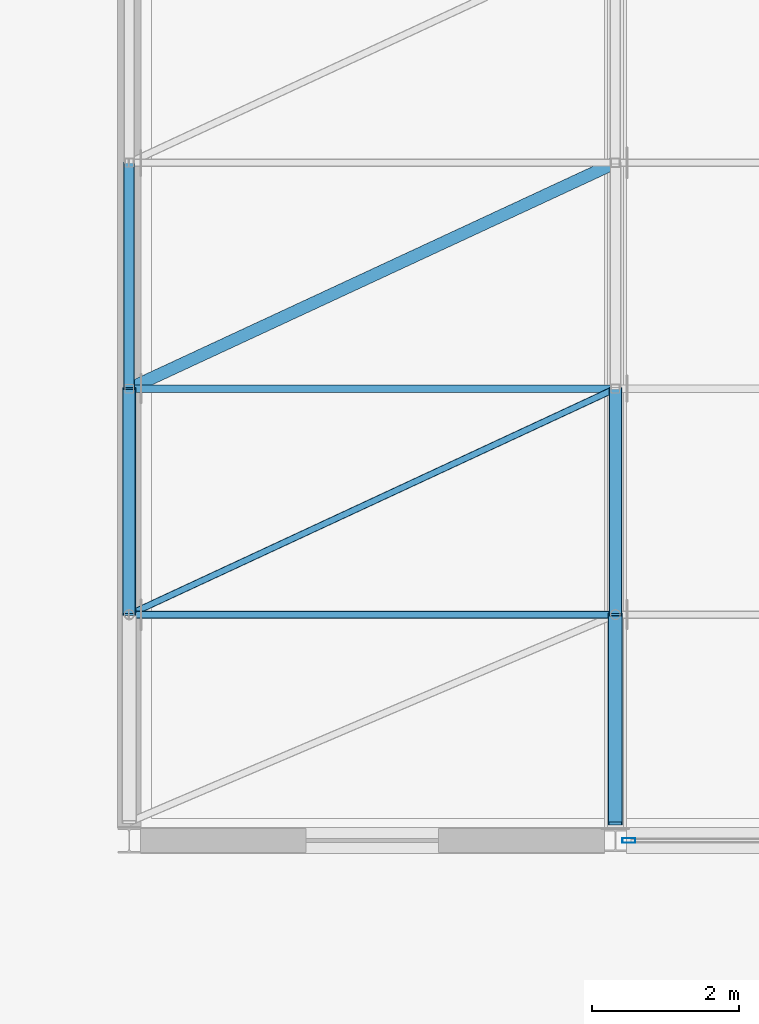
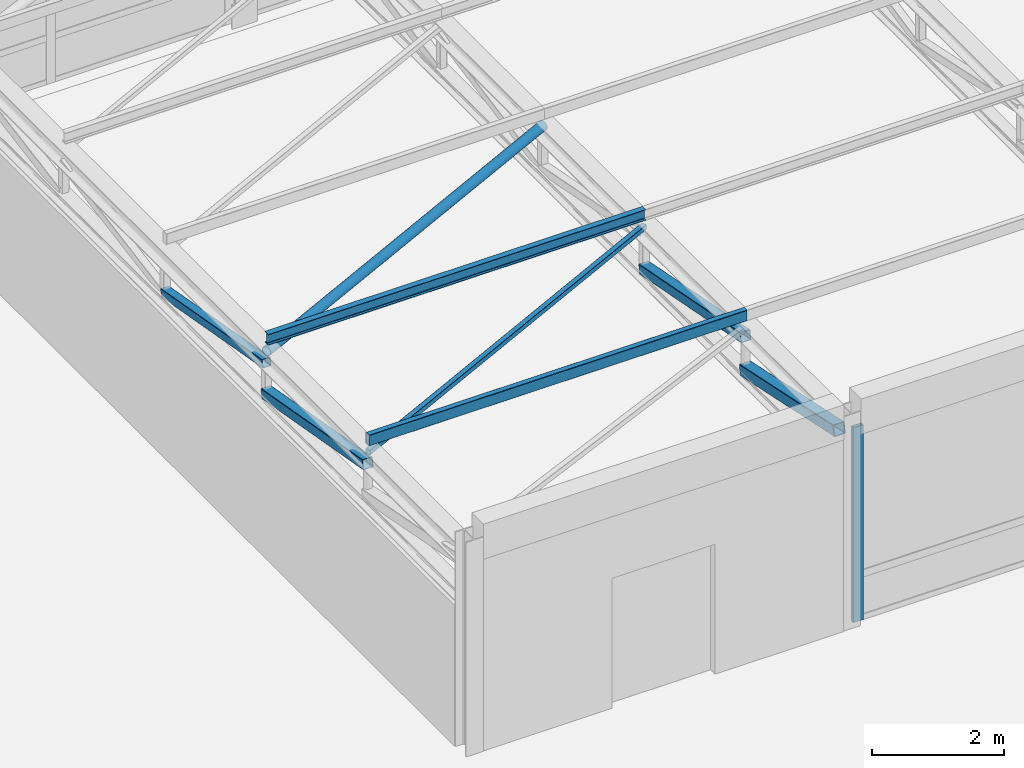
# One storey, part 17 of 92: 9 members, 1 element without a shape of its own.
"""IFC4 building model written with IfcOpenShell, lengths in metres."""

from ifc_helpers import new_model, si_unit, direction, frame, origin, origin_2d, place, context, subcontext, project, spatial, hollow_rectangle, hollow_circle, i_section, extrude, material, material_profile, profile_set, type_object, element, aggregate, save


model = new_model("IFC4")

# Units and contexts
model_context = context("Model", 3, precision=1e-05, world=origin(), true_north=direction((0.0, 1.0)))
body_context = subcontext(model_context, "Body", "Model", "MODEL_VIEW")
ifc_project = project(units=[si_unit("LENGTHUNIT", "METRE"), si_unit("AREAUNIT", "SQUARE_METRE"), si_unit("VOLUMEUNIT", "CUBIC_METRE"), si_unit("PLANEANGLEUNIT", "RADIAN"), si_unit("MASSUNIT", "GRAM", prefix="KILO")], contexts=[model_context])

# Site, building, storey
site_placement = place(None, origin())
site = spatial("IfcSite", under=ifc_project, at=site_placement, CompositionType="ELEMENT")
building_placement = place(site_placement, origin())
building = spatial("IfcBuilding", under=site, at=building_placement, Name="Kernevlak Ridge Housing Community", CompositionType="ELEMENT")
storey_placement = place(building_placement, frame((0.0, 0.0, 4.199951171875)))
storey = spatial("IfcBuildingStorey", under=building, at=storey_placement, Name="L01", CompositionType="ELEMENT", Elevation=4.199951171875)

# Members
ifc_material_1 = material(Name="Steel S355", Category="steel")
ifc_material_profile_1 = material_profile(ifc_material_1, hollow_rectangle(XDim=0.199951171875, YDim=0.199951171875, WallThickness=0.010009765625, InnerFilletRadius=0.010009765625, OuterFilletRadius=0.014892578125, at=origin_2d()), Name="SHS 200x200x10")
ifc_profile_set_1 = profile_set([ifc_material_profile_1], Name="Steel S355")
member_type_1 = type_object("IfcMemberType", Name="BR-01", PredefinedType="BRACE", material=ifc_profile_set_1)
member_1_placement = place(storey_placement, frame((70.800048828125, 50.030029296875, 3.449951171875), z_axis=(0.0, 0.978704122893, -0.205276008907), x_axis=(-1.0, 0.0, 0.0)))
element("IfcMember", 1, at=member_1_placement, inside=storey, type_object=member_type_1, Name="Community Hall roof truss 2 web diagonal 1", PredefinedType="BRACE", context=body_context, shape_type="SweptSolid", body=[
    extrude(hollow_rectangle(XDim=0.199951171875, YDim=0.199951171875, WallThickness=0.010009765625, InnerFilletRadius=0.010009765625, OuterFilletRadius=0.014892578125, at=origin_2d()), origin(), (0.0, 0.0, 1.0), 2.8984375),
])
ifc_material_profile_2 = material_profile(ifc_material_1, hollow_rectangle(XDim=0.179931640625, YDim=0.179931640625, WallThickness=0.010009765625, InnerFilletRadius=0.010009765625, OuterFilletRadius=0.014892578125, at=origin_2d()), Name="SHS 180x180x10")
ifc_profile_set_2 = profile_set([ifc_material_profile_2], Name="Steel S355")
member_type_2 = type_object("IfcMemberType", Name="BR-02", PredefinedType="BRACE", material=ifc_profile_set_2)
member_2_placement = place(storey_placement, frame((64.199951171875, 52.86669921875, 3.41015625), z_axis=(0.0, 0.984563408291, -0.175028269303), x_axis=(-1.0, 0.0, 0.0)))
element("IfcMember", 2, at=member_2_placement, inside=storey, type_object=member_type_2, Name="Community Hall roof truss 1 web diagonal 2", PredefinedType="BRACE", context=body_context, shape_type="SweptSolid", body=[
    extrude(hollow_rectangle(XDim=0.179931640625, YDim=0.179931640625, WallThickness=0.010009765625, InnerFilletRadius=0.010009765625, OuterFilletRadius=0.014892578125, at=origin_2d()), origin(), (0.0, 0.0, 1.0), 3.11474609375),
])
member_3_placement = place(storey_placement, frame((70.800048828125, 52.86669921875, 3.449951171875), z_axis=(0.0, 0.981694621235, -0.190461730113), x_axis=(-1.0, 0.0, 0.0)))
element("IfcMember", 3, at=member_3_placement, inside=storey, type_object=member_type_2, Name="Community Hall roof truss 2 web diagonal 2", PredefinedType="BRACE", context=body_context, shape_type="SweptSolid", body=[
    extrude(hollow_rectangle(XDim=0.179931640625, YDim=0.179931640625, WallThickness=0.010009765625, InnerFilletRadius=0.010009765625, OuterFilletRadius=0.014892578125, at=origin_2d()), origin(), (0.0, 0.0, 1.0), 3.123779296875),
])
ifc_material_profile_3 = material_profile(ifc_material_1, hollow_rectangle(XDim=0.14990234375, YDim=0.14990234375, WallThickness=0.008056640625, InnerFilletRadius=0.008056640625, OuterFilletRadius=0.011962890625, at=origin_2d()), Name="SHS 150x150x8")
ifc_profile_set_3 = profile_set([ifc_material_profile_3], Name="Steel S355")
member_type_3 = type_object("IfcMemberType", Name="BR-03", PredefinedType="BRACE", material=ifc_profile_set_3)
member_4_placement = place(storey_placement, frame((64.199951171875, 55.933349609375, 3.41015625), z_axis=(0.0, 0.984563408291, -0.175028269303), x_axis=(-1.0, 0.0, 0.0)))
element("IfcMember", 4, at=member_4_placement, inside=storey, type_object=member_type_3, Name="Community Hall roof truss 1 web diagonal 3", PredefinedType="BRACE", context=body_context, shape_type="SweptSolid", body=[
    extrude(hollow_rectangle(XDim=0.14990234375, YDim=0.14990234375, WallThickness=0.008056640625, InnerFilletRadius=0.008056640625, OuterFilletRadius=0.011962890625, at=origin_2d()), origin(), (0.0, 0.0, 1.0), 3.11474609375),
])
ifc_material_profile_4 = material_profile(ifc_material_1, hollow_rectangle(XDim=0.090087890625, YDim=0.090087890625, WallThickness=0.0048828125, InnerFilletRadius=0.0048828125, OuterFilletRadius=0.007568359375, at=origin_2d()), Name="SHS 90x90x5")
ifc_profile_set_4 = profile_set([ifc_material_profile_4], Name="Steel S355")
member_type_4 = type_object("IfcMemberType", Name="BR-07", PredefinedType="BRACE", material=ifc_profile_set_4)
member_5_placement = place(storey_placement, frame((64.199951171875, 52.86669921875, 3.625), z_axis=(0.906887206183, 0.42137346293, 0.0), x_axis=(-0.42137346293, 0.906887206183, 0.0)))
element("IfcMember", 5, at=member_5_placement, inside=storey, type_object=member_type_4, Name="Roof lateral wind brace 1.2", PredefinedType="BRACE", context=body_context, shape_type="SweptSolid", body=[
    extrude(hollow_rectangle(XDim=0.090087890625, YDim=0.090087890625, WallThickness=0.0048828125, InnerFilletRadius=0.0048828125, OuterFilletRadius=0.007568359375, at=origin_2d()), origin(), (0.0, 0.0, 1.0), 7.27783203125),
])
ifc_material_profile_5 = material_profile(ifc_material_1, hollow_circle(Radius=0.084228515625, WallThickness=0.008056640625, at=origin_2d()), Name="CHS 168.3x8")
ifc_profile_set_5 = profile_set([ifc_material_profile_5], Name="Steel S355")
member_type_5 = type_object("IfcMemberType", Name="BR-08", PredefinedType="BRACE", material=ifc_profile_set_5)
member_6_placement = place(storey_placement, frame((64.199951171875, 55.933349609375, 3.625), z_axis=(0.906887206183, 0.42137346293, 0.0), x_axis=(-0.42137346293, 0.906887206183, 0.0)))
element("IfcMember", 6, at=member_6_placement, inside=storey, type_object=member_type_5, Name="Roof lateral wind brace 1.3", PredefinedType="BRACE", context=body_context, shape_type="SweptSolid", body=[
    extrude(hollow_circle(Radius=0.084228515625, WallThickness=0.008056640625, at=origin_2d()), origin(), (0.0, 0.0, 1.0), 7.27783203125),
])

# Curtain wall, member
ifc_material_2 = material(Name="Aluminium EN AW-6060 anodised and laminated glass", Category="aluminium")
curtain_wall_type = type_object("IfcCurtainWallType", Name="CW-07", PredefinedType="NOTDEFINED", material=ifc_material_2)
curtain_wall_placement = place(storey_placement, origin())
curtain_wall = element("IfcCurtainWall", 7, at=curtain_wall_placement, inside=storey, type_object=curtain_wall_type, Name="Curtain wall CW-07 CW-L01-176", PredefinedType="NOTDEFINED")
ifc_material_3 = material(Name="Aluminium EN AW-6060 anodised", Category="aluminium")
ifc_material_profile_6 = material_profile(ifc_material_3, hollow_rectangle(XDim=0.06494140625, YDim=0.179931640625, WallThickness=0.00439453125, InnerFilletRadius=0.001953125, OuterFilletRadius=0.00439453125, at=origin_2d()), Name="ALU 65x180x4.5")
ifc_profile_set_6 = profile_set([ifc_material_profile_6], Name="Aluminium EN AW-6060 anodised")
member_type_6 = type_object("IfcMemberType", Name="MU-03", PredefinedType="MULLION", material=ifc_profile_set_6)
member_7_placement = place(storey_placement, frame((70.982421875, 49.800048828125, 0.0), z_axis=(0.0, 0.0, 1.0), x_axis=(0.0, 1.0, 0.0)))
member_7 = element("IfcMember", 8, at=member_7_placement, type_object=member_type_6, Name="CW-07 mullion 1", PredefinedType="MULLION", context=body_context, shape_type="SweptSolid", body=[
    extrude(hollow_rectangle(XDim=0.06494140625, YDim=0.179931640625, WallThickness=0.00439453125, InnerFilletRadius=0.001953125, OuterFilletRadius=0.00439453125, at=origin_2d()), origin(), (0.0, 0.0, 1.0), 3.60009765625),
])
aggregate(curtain_wall, [member_7])

# Members
ifc_material_profile_7 = material_profile(ifc_material_1, i_section(OverallWidth=0.10009765625, OverallDepth=0.199951171875, WebThickness=0.005615234375, FlangeThickness=0.008544921875, FilletRadius=0.011962890625, at=origin_2d()), Name="IPE 200")
ifc_profile_set_7 = profile_set([ifc_material_profile_7], Name="Steel S355")
member_type_7 = type_object("IfcMemberType", Name="PU-01", PredefinedType="PURLIN", material=ifc_profile_set_7)
member_8_placement = place(storey_placement, frame((64.199951171875, 55.933349609375, 3.860107421875), z_axis=(1.0, 0.0, 0.0), x_axis=(0.0, 1.0, 0.0)))
element("IfcMember", 9, at=member_8_placement, inside=storey, type_object=member_type_7, Name="Community Hall steel roof purlin 1.3", PredefinedType="PURLIN", context=body_context, shape_type="SweptSolid", body=[
    extrude(i_section(OverallWidth=0.10009765625, OverallDepth=0.199951171875, WebThickness=0.005615234375, FlangeThickness=0.008544921875, FilletRadius=0.011962890625, at=origin_2d()), origin(), (0.0, 0.0, 1.0), 6.60009765625),
])
ifc_material_profile_8 = material_profile(ifc_material_1, hollow_rectangle(XDim=0.10009765625, YDim=0.199951171875, WallThickness=0.008056640625, InnerFilletRadius=0.008056640625, OuterFilletRadius=0.011962890625, at=origin_2d()), Name="RHS 200x100x8")
ifc_profile_set_8 = profile_set([ifc_material_profile_8], Name="Steel S355")
member_type_8 = type_object("IfcMemberType", Name="PU-05", PredefinedType="PURLIN", material=ifc_profile_set_8)
member_9_placement = place(storey_placement, frame((64.199951171875, 52.86669921875, 3.860107421875), z_axis=(1.0, 0.0, 0.0), x_axis=(0.0, 1.0, 0.0)))
element("IfcMember", 10, at=member_9_placement, inside=storey, type_object=member_type_8, Name="Community Hall steel roof purlin 1.2", PredefinedType="PURLIN", context=body_context, shape_type="SweptSolid", body=[
    extrude(hollow_rectangle(XDim=0.10009765625, YDim=0.199951171875, WallThickness=0.008056640625, InnerFilletRadius=0.008056640625, OuterFilletRadius=0.011962890625, at=origin_2d()), origin(), (0.0, 0.0, 1.0), 6.60009765625),
])

save(model, "model.ifc")
